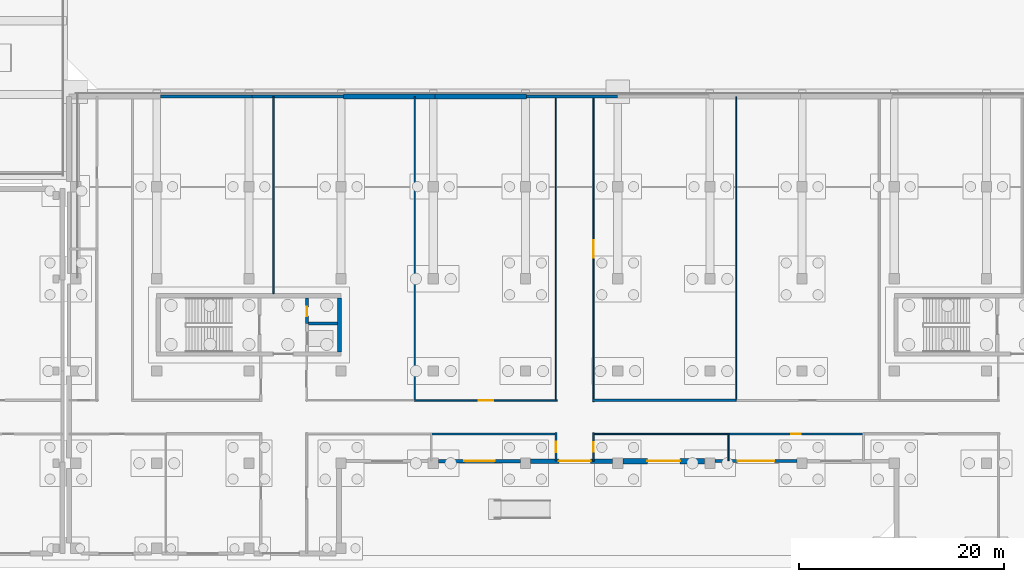
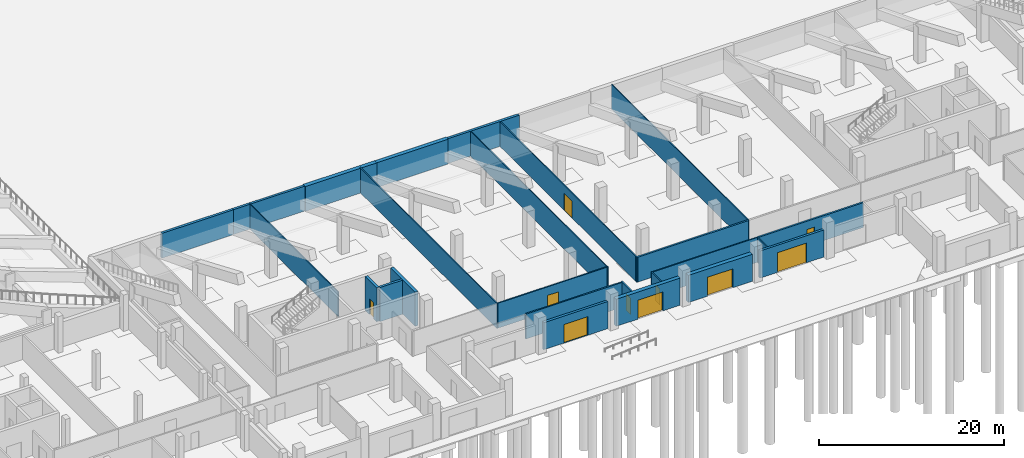
# One storey, part 17 of 53: 25 walls, 10 doors, 10 openings.
"""IFC4 building model written with IfcOpenShell, lengths in metres."""

from ifc_helpers import new_model, si_unit, direction, frame, frame_2d, origin, place, context, subcontext, project, spatial, rectangle, extrude, material, layer, layer_set, type_object, element, fill, save


model = new_model("IFC4")

# Units and contexts
model_context = context("Model", 3, precision=1e-05, world=origin(), true_north=direction((0.0, 1.0)))
body_context = subcontext(model_context, "Body", "Model", "MODEL_VIEW")
ifc_project = project(units=[si_unit("LENGTHUNIT", "METRE"), si_unit("AREAUNIT", "SQUARE_METRE"), si_unit("VOLUMEUNIT", "CUBIC_METRE"), si_unit("PLANEANGLEUNIT", "RADIAN"), si_unit("MASSUNIT", "GRAM", prefix="KILO"), si_unit("THERMODYNAMICTEMPERATUREUNIT", "KELVIN"), si_unit("POWERUNIT", "WATT")], contexts=[model_context])

# Site, building, storey
site_placement = place(None, origin())
site = spatial("IfcSite", under=ifc_project, at=site_placement, CompositionType="ELEMENT")
building_placement = place(site_placement, origin())
building = spatial("IfcBuilding", under=site, at=building_placement, Name="Sindhuravela Promenade Stadium", CompositionType="ELEMENT")
storey_placement = place(building_placement, origin())
storey = spatial("IfcBuildingStorey", under=building, at=storey_placement, Name="L00", CompositionType="ELEMENT", Elevation=0.0)

# Wall
ifc_material_1 = material(Name="Dholpur sandstone ashlar (45 MPa)", Category="masonry")
ifc_layer_1 = layer(ifc_material_1, 0.2900390625)
ifc_layer_set_1 = layer_set([ifc_layer_1], Name="Dholpur sandstone ashlar (45 MPa)")
wall_type_1 = type_object("IfcWallType", Name="EX-WL-SND290", PredefinedType="SOLIDWALL", material=ifc_layer_set_1)
wall_1_placement = place(storey_placement, frame((72.300048828125, 44.800048828125, 0.0), z_axis=(0.0, 0.0, 1.0), x_axis=(1.0, 0.0, 0.0)))
element("IfcWall", 1, at=wall_1_placement, inside=storey, type_object=wall_type_1, Name="Exterior masonry wall EW10 SOUTH L00", PredefinedType="SOLIDWALL", context=body_context, shape_type="SweptSolid", body=[
    extrude(rectangle(XDim=8.925048828125, YDim=0.2900390625, at=frame_2d((4.46240234375, 0.0))), origin(), (0.0, 0.0, 1.0), 3.280029296875),
])

# Wall, opening, door
wall_2_placement = place(storey_placement, frame((125.4951171875, 9.199951171875, 0.0), z_axis=(0.0, 0.0, 1.0), x_axis=(-1.0, 0.0, 0.0)))
wall_2 = element("IfcWall", 2, at=wall_2_placement, inside=storey, type_object=wall_type_1, Name="Exterior masonry wall EW10 SOUTH L00", PredefinedType="SOLIDWALL", context=body_context, shape_type="SweptSolid", body=[
    extrude(rectangle(XDim=7.990234375, YDim=0.2900390625, at=frame_2d((3.9951171875, 0.0))), origin(), (0.0, 0.0, 1.0), 3.580078125),
])
opening_1_placement = place(wall_2_placement, frame((2.195068359375, 0.0, 0.0)))
opening_1 = element("IfcOpeningElement", 3, at=opening_1_placement, cuts=wall_2, Name="Opening E21", PredefinedType="OPENING", context=body_context, shape_type="SweptSolid", body=[
    extrude(rectangle(XDim=3.60009765625, YDim=2.60009765625, at=frame_2d((1.800048828125, 1.300048828125))), frame((0.0, 0.155029296875, 0.0), z_axis=(0.0, -1.0, 0.0), x_axis=(1.0, 0.0, 0.0)), (0.0, 0.0, 1.0), 0.31005859375),
])
ifc_material_2 = material(Name="Anodised architectural aluminium 6063-T6", Category="aluminium")
door_type_1 = type_object("IfcDoorType", Name="DR-EXIT-3600x2600", OperationType="DOUBLE_DOOR_SINGLE_SWING", PredefinedType="DOOR", material=ifc_material_2)
door_1_placement = place(opening_1_placement, origin())
door_1 = element("IfcDoor", 4, at=door_1_placement, inside=storey, type_object=door_type_1, Name="Final exit door E21", OperationType="DOUBLE_DOOR_SINGLE_SWING", OverallHeight=2.60009765625, OverallWidth=3.60009765625, PredefinedType="DOOR", context=body_context, shape_type="SweptSolid", body=[
    extrude(rectangle(XDim=3.60009765625, YDim=2.60009765625, at=frame_2d((1.800048828125, 1.300048828125))), frame((0.0, 0.02490234375, 0.0), z_axis=(0.0, -1.0, 0.0), x_axis=(1.0, 0.0, 0.0)), (0.0, 0.0, 1.0), 0.050048828125),
])
fill(opening_1, door_1)

# Walls
ifc_layer_2 = layer(ifc_material_1, 0.31005859375)
ifc_layer_set_2 = layer_set([ifc_layer_2], Name="Dholpur sandstone ashlar (45 MPa)")
wall_type_2 = type_object("IfcWallType", Name="EX-WL-SND310", PredefinedType="SOLIDWALL", material=ifc_layer_set_2)
for number, where, z_axis, x_axis, name in (
    (5, (63.375, 44.800048828125, 0.0), (0.0, 0.0, 1.0), (1.0, 0.0, 0.0), "Exterior masonry wall EW09 SOUTH L00"),
    (6, (99.074951171875, 44.800048828125, 0.0), (0.0, 0.0, 1.0), (1.0, 0.0, 0.0), "Exterior masonry wall EW09 SOUTH L00"),
):
    element("IfcWall", number, at=place(storey_placement, frame(where, z_axis=z_axis, x_axis=x_axis)), inside=storey, type_object=wall_type_2, Name=name, PredefinedType="SOLIDWALL", context=body_context, shape_type="SweptSolid", body=[
        extrude(rectangle(XDim=8.925048828125, YDim=0.31005859375, at=frame_2d((4.46240234375, 0.0))), origin(), (0.0, 0.0, 1.0), 3.280029296875),
    ])

# Wall, opening, door
wall_3_placement = place(storey_placement, frame((98.4951171875, 9.199951171875, 0.0), z_axis=(0.0, 0.0, 1.0), x_axis=(-1.0, 0.0, 0.0)))
wall_3 = element("IfcWall", 7, at=wall_3_placement, inside=storey, type_object=wall_type_2, Name="Exterior masonry wall EW09 SOUTH L00", PredefinedType="SOLIDWALL", context=body_context, shape_type="SweptSolid", body=[
    extrude(rectangle(XDim=7.990234375, YDim=0.31005859375, at=frame_2d((3.9951171875, 0.0))), origin(), (0.0, 0.0, 1.0), 3.580078125),
])
opening_2_placement = place(wall_3_placement, frame((2.4951171875, 0.0, 0.0)))
opening_2 = element("IfcOpeningElement", 8, at=opening_2_placement, cuts=wall_3, Name="Opening G07", PredefinedType="OPENING", context=body_context, shape_type="SweptSolid", body=[
    extrude(rectangle(XDim=3.0, YDim=2.449951171875, at=frame_2d((1.5, 1.22509765625))), frame((0.0, 0.1650390625, 0.0), z_axis=(0.0, -1.0, 0.0), x_axis=(1.0, 0.0, 0.0)), (0.0, 0.0, 1.0), 0.330078125),
])
door_type_2 = type_object("IfcDoorType", Name="DR-EXIT-3000x2450", OperationType="DOUBLE_DOOR_SINGLE_SWING", PredefinedType="DOOR", material=ifc_material_2)
door_2_placement = place(opening_2_placement, origin())
door_2 = element("IfcDoor", 9, at=door_2_placement, inside=storey, type_object=door_type_2, Name="Gate exit door G07", OperationType="DOUBLE_DOOR_SINGLE_SWING", OverallHeight=2.449951171875, OverallWidth=3.0, PredefinedType="DOOR", context=body_context, shape_type="SweptSolid", body=[
    extrude(rectangle(XDim=3.0, YDim=2.449951171875, at=frame_2d((1.5, 1.22509765625))), frame((0.0, 0.02490234375, 0.0), z_axis=(0.0, -1.0, 0.0), x_axis=(1.0, 0.0, 0.0)), (0.0, 0.0, 1.0), 0.050048828125),
])
fill(opening_2, door_2)

# Wall
ifc_layer_3 = layer(ifc_material_1, 0.47998046875)
ifc_layer_set_3 = layer_set([ifc_layer_3], Name="Dholpur sandstone ashlar (45 MPa)")
wall_type_3 = type_object("IfcWallType", Name="EX-WL-SND480", PredefinedType="SOLIDWALL", material=ifc_layer_set_3)
wall_4_placement = place(storey_placement, frame((90.14990234375, 44.800048828125, 0.0), z_axis=(0.0, 0.0, 1.0), x_axis=(1.0, 0.0, 0.0)))
element("IfcWall", 10, at=wall_4_placement, inside=storey, type_object=wall_type_3, Name="Exterior masonry wall EW08 SOUTH L00", PredefinedType="SOLIDWALL", context=body_context, shape_type="SweptSolid", body=[
    extrude(rectangle(XDim=8.925048828125, YDim=0.47998046875, at=frame_2d((4.46240234375, 0.0))), origin(), (0.0, 0.0, 1.0), 3.280029296875),
])

# Wall, opening, door
wall_5_placement = place(storey_placement, frame((107.4951171875, 9.199951171875, 0.0), z_axis=(0.0, 0.0, 1.0), x_axis=(-1.0, 0.0, 0.0)))
wall_5 = element("IfcWall", 11, at=wall_5_placement, inside=storey, type_object=wall_type_3, Name="Exterior masonry wall EW08 SOUTH L00", PredefinedType="SOLIDWALL", context=body_context, shape_type="SweptSolid", body=[
    extrude(rectangle(XDim=7.990234375, YDim=0.47998046875, at=frame_2d((3.9951171875, 0.0))), origin(), (0.0, 0.0, 1.0), 3.580078125),
])
opening_3_placement = place(wall_5_placement, frame((2.14501953125, 0.0, 0.0)))
opening_3 = element("IfcOpeningElement", 12, at=opening_3_placement, cuts=wall_5, Name="Opening G06", PredefinedType="OPENING", context=body_context, shape_type="SweptSolid", body=[
    extrude(rectangle(XDim=3.10009765625, YDim=2.5, at=frame_2d((1.550048828125, 1.25))), frame((0.0, 0.25, 0.0), z_axis=(0.0, -1.0, 0.0), x_axis=(1.0, 0.0, 0.0)), (0.0, 0.0, 1.0), 0.5),
])
door_type_3 = type_object("IfcDoorType", Name="DR-EXIT-3100x2500", OperationType="DOUBLE_DOOR_SINGLE_SWING", PredefinedType="DOOR", material=ifc_material_2)
door_3_placement = place(opening_3_placement, origin())
door_3 = element("IfcDoor", 13, at=door_3_placement, inside=storey, type_object=door_type_3, Name="Gate exit door G06", OperationType="DOUBLE_DOOR_SINGLE_SWING", OverallHeight=2.5, OverallWidth=3.10009765625, PredefinedType="DOOR", context=body_context, shape_type="SweptSolid", body=[
    extrude(rectangle(XDim=3.10009765625, YDim=2.5, at=frame_2d((1.550048828125, 1.25))), frame((0.0, 0.02490234375, 0.0), z_axis=(0.0, -1.0, 0.0), x_axis=(1.0, 0.0, 0.0)), (0.0, 0.0, 1.0), 0.050048828125),
])
fill(opening_3, door_3)

# Wall
ifc_layer_4 = layer(ifc_material_1, 0.5)
ifc_layer_set_4 = layer_set([ifc_layer_4], Name="Dholpur sandstone ashlar (45 MPa)")
wall_type_4 = type_object("IfcWallType", Name="EX-WL-SND500", PredefinedType="SOLIDWALL", material=ifc_layer_set_4)
wall_6_placement = place(storey_placement, frame((81.22509765625, 44.800048828125, 0.0), z_axis=(0.0, 0.0, 1.0), x_axis=(1.0, 0.0, 0.0)))
element("IfcWall", 14, at=wall_6_placement, inside=storey, type_object=wall_type_4, Name="Exterior masonry wall EW07 SOUTH L00", PredefinedType="SOLIDWALL", context=body_context, shape_type="SweptSolid", body=[
    extrude(rectangle(XDim=8.9248046875, YDim=0.5, at=frame_2d((4.46240234375, 0.0))), origin(), (0.0, 0.0, 1.0), 3.280029296875),
])

# Wall, opening, door
wall_7_placement = place(storey_placement, frame((116.4951171875, 9.199951171875, 0.0), z_axis=(0.0, 0.0, 1.0), x_axis=(-1.0, 0.0, 0.0)))
wall_7 = element("IfcWall", 15, at=wall_7_placement, inside=storey, type_object=wall_type_4, Name="Exterior masonry wall EW07 SOUTH L00", PredefinedType="SOLIDWALL", context=body_context, shape_type="SweptSolid", body=[
    extrude(rectangle(XDim=7.990234375, YDim=0.5, at=frame_2d((3.9951171875, 0.0))), origin(), (0.0, 0.0, 1.0), 3.580078125),
])
opening_4_placement = place(wall_7_placement, frame((2.39501953125, 0.0, 0.0)))
opening_4 = element("IfcOpeningElement", 16, at=opening_4_placement, cuts=wall_7, Name="Opening G05", PredefinedType="OPENING", context=body_context, shape_type="SweptSolid", body=[
    extrude(rectangle(XDim=3.199951171875, YDim=2.5, at=frame_2d((1.60009765625, 1.25))), frame((0.0, 0.260009765625, 0.0), z_axis=(0.0, -1.0, 0.0), x_axis=(1.0, 0.0, 0.0)), (0.0, 0.0, 1.0), 0.52001953125),
])
door_type_4 = type_object("IfcDoorType", Name="DR-EXIT-3200x2500", OperationType="DOUBLE_DOOR_SINGLE_SWING", PredefinedType="DOOR", material=ifc_material_2)
door_4_placement = place(opening_4_placement, origin())
door_4 = element("IfcDoor", 17, at=door_4_placement, inside=storey, type_object=door_type_4, Name="Gate exit door G05", OperationType="DOUBLE_DOOR_SINGLE_SWING", OverallHeight=2.5, OverallWidth=3.199951171875, PredefinedType="DOOR", context=body_context, shape_type="SweptSolid", body=[
    extrude(rectangle(XDim=3.199951171875, YDim=2.5, at=frame_2d((1.60009765625, 1.25))), frame((0.0, 0.02490234375, 0.0), z_axis=(0.0, -1.0, 0.0), x_axis=(1.0, 0.0, 0.0)), (0.0, 0.0, 1.0), 0.050048828125),
])
fill(opening_4, door_4)

# Walls
ifc_material_3 = material(Name="Fire-rated gypsum partition board", Category="gypsum")
ifc_layer_5 = layer(ifc_material_3, 0.110107421875)
ifc_layer_set_5 = layer_set([ifc_layer_5], Name="Fire-rated gypsum partition board")
wall_type_5 = type_object("IfcWallType", Name="IN-WL-PAR110", PredefinedType="PARTITIONING", material=ifc_layer_set_5)
for number, where, z_axis, x_axis, name in (
    (18, (119.58740234375, 44.760009765625, 0.0), (0.0, 0.0, 1.0), (0.0, -1.0, 0.0), "Interior partition IW06 SOUTH L00"),
    (19, (101.9599609375, 44.760009765625, 0.0), (0.0, 0.0, 1.0), (0.0, -1.0, 0.0), "Interior partition IW06 SOUTH L00"),
):
    element("IfcWall", number, at=place(storey_placement, frame(where, z_axis=z_axis, x_axis=x_axis)), inside=storey, type_object=wall_type_5, Name=name, PredefinedType="PARTITIONING", context=body_context, shape_type="SweptSolid", body=[
        extrude(rectangle(XDim=29.699951171875, YDim=0.110107421875, at=frame_2d((14.85009765625, 0.0))), origin(), (0.0, 0.0, 1.0), 3.280029296875),
    ])
wall_8_placement = place(storey_placement, frame((118.813232421875, 11.93994140625, 0.0), z_axis=(0.0, 0.0, 1.0), x_axis=(0.0, -1.0, 0.0)))
element("IfcWall", 20, at=wall_8_placement, inside=storey, type_object=wall_type_5, Name="Interior partition IW06 SOUTH L00", PredefinedType="PARTITIONING", context=body_context, shape_type="SweptSolid", body=[
    extrude(rectangle(XDim=2.699951171875, YDim=0.110107421875, at=frame_2d((1.35009765625, 0.0))), origin(), (0.0, 0.0, 1.0), 3.280029296875),
])

# Wall, opening, door
ifc_layer_6 = layer(ifc_material_3, 0.1298828125)
ifc_layer_set_6 = layer_set([ifc_layer_6], Name="Fire-rated gypsum partition board")
wall_type_6 = type_object("IfcWallType", Name="IN-WL-PAR130", PredefinedType="PARTITIONING", material=ifc_layer_set_6)
wall_9_placement = place(storey_placement, frame((105.639892578125, 44.800048828125, 0.0), z_axis=(0.0, 0.0, 1.0), x_axis=(0.0, -1.0, 0.0)))
wall_9 = element("IfcWall", 21, at=wall_9_placement, inside=storey, type_object=wall_type_6, Name="Corridor partition IW05 South Community Entrance Hall", PredefinedType="PARTITIONING", context=body_context, shape_type="SweptSolid", body=[
    extrude(rectangle(XDim=29.780029296875, YDim=0.1298828125, at=frame_2d((14.89013671875, 0.0))), origin(), (0.0, 0.0, 1.0), 3.280029296875),
])
opening_5_placement = place(wall_9_placement, frame((14.0400390625, 0.0, 0.0)))
opening_5 = element("IfcOpeningElement", 22, at=opening_5_placement, cuts=wall_9, Name="Opening ID01", PredefinedType="OPENING", context=body_context, shape_type="SweptSolid", body=[
    extrude(rectangle(XDim=1.699951171875, YDim=2.199951171875, at=frame_2d((0.85009765625, 1.10009765625))), frame((0.0, 0.074951171875, 0.0), z_axis=(0.0, -1.0, 0.0), x_axis=(1.0, 0.0, 0.0)), (0.0, 0.0, 1.0), 0.14990234375),
])
ifc_material_4 = material(Name="Architectural teak timber leaf", Category="wood")
door_type_5 = type_object("IfcDoorType", Name="DR-INT-1700x2200", OperationType="DOUBLE_DOOR_SINGLE_SWING", PredefinedType="DOOR", material=ifc_material_4)
door_5_placement = place(opening_5_placement, origin())
door_5 = element("IfcDoor", 23, at=door_5_placement, inside=storey, type_object=door_type_5, Name="South Community Entrance Hall door", OperationType="DOUBLE_DOOR_SINGLE_SWING", OverallHeight=2.199951171875, OverallWidth=1.699951171875, PredefinedType="DOOR", context=body_context, shape_type="SweptSolid", body=[
    extrude(rectangle(XDim=1.699951171875, YDim=2.199951171875, at=frame_2d((0.85009765625, 1.10009765625))), frame((0.0, 0.02490234375, 0.0), z_axis=(0.0, -1.0, 0.0), x_axis=(1.0, 0.0, 0.0)), (0.0, 0.0, 1.0), 0.050048828125),
])
fill(opening_5, door_5)

# Walls
wall_10_placement = place(storey_placement, frame((88.186767578125, 15.06005859375, 0.0), z_axis=(0.0, 0.0, 1.0), x_axis=(0.0, 1.0, 0.0)))
element("IfcWall", 24, at=wall_10_placement, inside=storey, type_object=wall_type_6, Name="Interior partition IW05 SOUTH L00", PredefinedType="PARTITIONING", context=body_context, shape_type="SweptSolid", body=[
    extrude(rectangle(XDim=29.699951171875, YDim=0.1298828125, at=frame_2d((14.85009765625, 0.0))), origin(), (0.0, 0.0, 1.0), 3.280029296875),
])
wall_11_placement = place(storey_placement, frame((74.413330078125, 25.552001953125, 0.0), z_axis=(0.0, 0.0, 1.0), x_axis=(0.0, 1.0, 0.0)))
element("IfcWall", 25, at=wall_11_placement, inside=storey, type_object=wall_type_6, Name="Interior partition IW05 SOUTH L00", PredefinedType="PARTITIONING", context=body_context, shape_type="SweptSolid", body=[
    extrude(rectangle(XDim=19.2080078125, YDim=0.1298828125, at=frame_2d((9.60400390625, 0.0))), origin(), (0.0, 0.0, 1.0), 3.280029296875),
])
wall_12_placement = place(storey_placement, frame((105.56005859375, 11.860107421875, 0.0), z_axis=(0.0, 0.0, 1.0), x_axis=(1.0, 0.0, 0.0)))
element("IfcWall", 26, at=wall_12_placement, inside=storey, type_object=wall_type_6, Name="Interior partition IW05 SOUTH L00", PredefinedType="PARTITIONING", context=body_context, shape_type="SweptSolid", body=[
    extrude(rectangle(XDim=13.213134765625, YDim=0.1298828125, at=frame_2d((6.6064453125, 0.0))), origin(), (0.0, 0.0, 1.0), 3.280029296875),
])

# Wall, opening, door
ifc_layer_7 = layer(ifc_material_3, 0.14990234375)
ifc_layer_set_7 = layer_set([ifc_layer_7], Name="Fire-rated gypsum partition board")
wall_type_7 = type_object("IfcWallType", Name="IN-WL-PAR150", PredefinedType="PARTITIONING", material=ifc_layer_set_7)
wall_13_placement = place(storey_placement, frame((88.186767578125, 15.139892578125, 0.0), z_axis=(0.0, 0.0, 1.0), x_axis=(1.0, 0.0, 0.0)))
wall_13 = element("IfcWall", 27, at=wall_13_placement, inside=storey, type_object=wall_type_7, Name="Corridor partition IW04 Concessions Bulk Storage Room", PredefinedType="PARTITIONING", context=body_context, shape_type="SweptSolid", body=[
    extrude(rectangle(XDim=13.893310546875, YDim=0.14990234375, at=frame_2d((6.94677734375, 0.0))), origin(), (0.0, 0.0, 1.0), 3.280029296875),
])
opening_6_placement = place(wall_13_placement, frame((6.24658203125, 0.0, 0.0)))
opening_6 = element("IfcOpeningElement", 28, at=opening_6_placement, cuts=wall_13, Name="Opening ID03", PredefinedType="OPENING", context=body_context, shape_type="SweptSolid", body=[
    extrude(rectangle(XDim=1.39990234375, YDim=2.14990234375, at=frame_2d((0.699951171875, 1.074951171875))), frame((0.0, 0.0849609375, 0.0), z_axis=(0.0, -1.0, 0.0), x_axis=(1.0, 0.0, 0.0)), (0.0, 0.0, 1.0), 0.169921875),
])
door_type_6 = type_object("IfcDoorType", Name="DR-INT-1400x2150", OperationType="DOUBLE_DOOR_SINGLE_SWING", PredefinedType="DOOR", material=ifc_material_4)
door_6_placement = place(opening_6_placement, origin())
door_6 = element("IfcDoor", 29, at=door_6_placement, inside=storey, type_object=door_type_6, Name="Concessions Bulk Storage Room door", OperationType="DOUBLE_DOOR_SINGLE_SWING", OverallHeight=2.14990234375, OverallWidth=1.39990234375, PredefinedType="DOOR", context=body_context, shape_type="SweptSolid", body=[
    extrude(rectangle(XDim=1.39990234375, YDim=2.14990234375, at=frame_2d((0.699951171875, 1.074951171875))), frame((0.0, 0.02490234375, 0.0), z_axis=(0.0, -1.0, 0.0), x_axis=(1.0, 0.0, 0.0)), (0.0, 0.0, 1.0), 0.050048828125),
])
fill(opening_6, door_6)

wall_14_placement = place(storey_placement, frame((105.639892578125, 11.97998046875, 0.0), z_axis=(0.0, 0.0, 1.0), x_axis=(0.0, -1.0, 0.0)))
wall_14 = element("IfcWall", 30, at=wall_14_placement, inside=storey, type_object=wall_type_7, Name="Corridor partition IW04 South Community Entrance Hall 9", PredefinedType="PARTITIONING", context=body_context, shape_type="SweptSolid", body=[
    extrude(rectangle(XDim=2.780029296875, YDim=0.14990234375, at=frame_2d((1.39013671875, 0.0))), origin(), (0.0, 0.0, 1.0), 3.280029296875),
])
opening_7_placement = place(wall_14_placement, frame((0.9150390625, 0.0, 0.0)))
opening_7 = element("IfcOpeningElement", 31, at=opening_7_placement, cuts=wall_14, Name="Opening ID09", PredefinedType="OPENING", context=body_context, shape_type="SweptSolid", body=[
    extrude(rectangle(XDim=0.949951171875, YDim=2.10009765625, at=frame_2d((0.47509765625, 1.050048828125))), frame((0.0, 0.0849609375, 0.0), z_axis=(0.0, -1.0, 0.0), x_axis=(1.0, 0.0, 0.0)), (0.0, 0.0, 1.0), 0.169921875),
])
door_type_7 = type_object("IfcDoorType", Name="DR-INT-950x2100", OperationType="NOTDEFINED", PredefinedType="DOOR", material=ifc_material_4)
door_7_placement = place(opening_7_placement, origin())
door_7 = element("IfcDoor", 32, at=door_7_placement, inside=storey, type_object=door_type_7, Name="South Community Entrance Hall 9 door", OperationType="SINGLE_SWING_RIGHT", OverallHeight=2.10009765625, OverallWidth=0.949951171875, PredefinedType="DOOR", context=body_context, shape_type="SweptSolid", body=[
    extrude(rectangle(XDim=0.949951171875, YDim=2.10009765625, at=frame_2d((0.47509765625, 1.050048828125))), frame((0.0, 0.02490234375, 0.0), z_axis=(0.0, -1.0, 0.0), x_axis=(1.0, 0.0, 0.0)), (0.0, 0.0, 1.0), 0.050048828125),
])
fill(opening_7, door_7)

# Wall
ifc_layer_8 = layer(ifc_material_3, 0.175048828125)
ifc_layer_set_8 = layer_set([ifc_layer_8], Name="Fire-rated gypsum partition board")
wall_type_8 = type_object("IfcWallType", Name="IN-WL-PAR175", PredefinedType="PARTITIONING", material=ifc_layer_set_8)
wall_15_placement = place(storey_placement, frame((89.840087890625, 11.860107421875, 0.0), z_axis=(0.0, 0.0, 1.0), x_axis=(1.0, 0.0, 0.0)))
element("IfcWall", 33, at=wall_15_placement, inside=storey, type_object=wall_type_8, Name="Interior partition IW03 SOUTH L00", PredefinedType="PARTITIONING", context=body_context, shape_type="SweptSolid", body=[
    extrude(rectangle(XDim=12.199951171875, YDim=0.175048828125, at=frame_2d((6.10009765625, 0.0))), origin(), (0.0, 0.0, 1.0), 3.280029296875),
])

# Wall, opening, door
ifc_layer_9 = layer(ifc_material_3, 0.195068359375)
ifc_layer_set_9 = layer_set([ifc_layer_9], Name="Fire-rated gypsum partition board")
wall_type_9 = type_object("IfcWallType", Name="IN-WL-PAR195", PredefinedType="PARTITIONING", material=ifc_layer_set_9)
wall_16_placement = place(storey_placement, frame((101.9599609375, 9.199951171875, 0.0), z_axis=(0.0, 0.0, 1.0), x_axis=(0.0, 1.0, 0.0)))
wall_16 = element("IfcWall", 34, at=wall_16_placement, inside=storey, type_object=wall_type_9, Name="Corridor partition IW02 Concessions Bulk Storage Room 11", PredefinedType="PARTITIONING", context=body_context, shape_type="SweptSolid", body=[
    extrude(rectangle(XDim=2.780029296875, YDim=0.195068359375, at=frame_2d((1.39013671875, 0.0))), origin(), (0.0, 0.0, 1.0), 3.280029296875),
])
opening_8_placement = place(wall_16_placement, frame((0.8798828125, 0.0, 0.0)))
opening_8 = element("IfcOpeningElement", 35, at=opening_8_placement, cuts=wall_16, Name="Opening ID11", PredefinedType="OPENING", context=body_context, shape_type="SweptSolid", body=[
    extrude(rectangle(XDim=1.02001953125, YDim=2.159912109375, at=frame_2d((0.510009765625, 1.080078125))), frame((0.0, 0.107421875, 0.0), z_axis=(0.0, -1.0, 0.0), x_axis=(1.0, 0.0, 0.0)), (0.0, 0.0, 1.0), 0.215087890625),
])
door_type_8 = type_object("IfcDoorType", Name="DR-INT-1020x2160", OperationType="NOTDEFINED", PredefinedType="DOOR", material=ifc_material_4)
door_8_placement = place(opening_8_placement, origin())
door_8 = element("IfcDoor", 36, at=door_8_placement, inside=storey, type_object=door_type_8, Name="Concessions Bulk Storage Room 11 door", OperationType="SINGLE_SWING_RIGHT", OverallHeight=2.159912109375, OverallWidth=1.02001953125, PredefinedType="DOOR", context=body_context, shape_type="SweptSolid", body=[
    extrude(rectangle(XDim=1.02001953125, YDim=2.159912109375, at=frame_2d((0.510009765625, 1.080078125))), frame((0.0, 0.02490234375, 0.0), z_axis=(0.0, -1.0, 0.0), x_axis=(1.0, 0.0, 0.0)), (0.0, 0.0, 1.0), 0.050048828125),
])
fill(opening_8, door_8)

# Wall
ifc_layer_10 = layer(ifc_material_3, 0.219970703125)
ifc_layer_set_10 = layer_set([ifc_layer_10], Name="Fire-rated gypsum partition board")
wall_type_10 = type_object("IfcWallType", Name="IN-WL-PAR220", PredefinedType="PARTITIONING", material=ifc_layer_set_10)
wall_17_placement = place(storey_placement, frame((119.547607421875, 15.139892578125, 0.0), z_axis=(0.0, 0.0, 1.0), x_axis=(-1.0, 0.0, 0.0)))
element("IfcWall", 37, at=wall_17_placement, inside=storey, type_object=wall_type_10, Name="Interior partition IW01 SOUTH L00", PredefinedType="PARTITIONING", context=body_context, shape_type="SweptSolid", body=[
    extrude(rectangle(XDim=13.987548828125, YDim=0.219970703125, at=frame_2d((6.99365234375, 0.0))), origin(), (0.0, 0.0, 1.0), 3.280029296875),
])

# Wall, opening, door
wall_18_placement = place(storey_placement, frame((131.98681640625, 11.860107421875, 0.0), z_axis=(0.0, 0.0, 1.0), x_axis=(-1.0, 0.0, 0.0)))
wall_18 = element("IfcWall", 38, at=wall_18_placement, inside=storey, type_object=wall_type_10, Name="Corridor partition IW01 Fire Pump and Tank Plant Room 10", PredefinedType="PARTITIONING", context=body_context, shape_type="SweptSolid", body=[
    extrude(rectangle(XDim=13.173583984375, YDim=0.219970703125, at=frame_2d((6.5869140625, 0.0))), origin(), (0.0, 0.0, 1.0), 3.280029296875),
])
opening_9_placement = place(wall_18_placement, frame((6.11181640625, 0.0, 0.0)))
opening_9 = element("IfcOpeningElement", 39, at=opening_9_placement, cuts=wall_18, Name="Opening ID10", PredefinedType="OPENING", context=body_context, shape_type="SweptSolid", body=[
    extrude(rectangle(XDim=0.949951171875, YDim=2.179931640625, at=frame_2d((0.47509765625, 1.08984375))), frame((0.0, 0.119873046875, 0.0), z_axis=(0.0, -1.0, 0.0), x_axis=(1.0, 0.0, 0.0)), (0.0, 0.0, 1.0), 0.239990234375),
])
door_type_9 = type_object("IfcDoorType", Name="DR-INT-950x2180", OperationType="NOTDEFINED", PredefinedType="DOOR", material=ifc_material_4)
door_9_placement = place(opening_9_placement, origin())
door_9 = element("IfcDoor", 40, at=door_9_placement, inside=storey, type_object=door_type_9, Name="Fire Pump and Tank Plant Room 10 door", OperationType="SINGLE_SWING_LEFT", OverallHeight=2.179931640625, OverallWidth=0.949951171875, PredefinedType="DOOR", context=body_context, shape_type="SweptSolid", body=[
    extrude(rectangle(XDim=0.949951171875, YDim=2.179931640625, at=frame_2d((0.47509765625, 1.08984375))), frame((0.0, 0.02490234375, 0.0), z_axis=(0.0, -1.0, 0.0), x_axis=(1.0, 0.0, 0.0)), (0.0, 0.0, 1.0), 0.050048828125),
])
fill(opening_9, door_9)

ifc_material_5 = material(Name="Concrete M50", Category="concrete")
ifc_layer_11 = layer(ifc_material_5, 0.300048828125)
ifc_layer_set_11 = layer_set([ifc_layer_11], Name="Concrete M50")
wall_type_11 = type_object("IfcWallType", Name="RC-SW-300", PredefinedType="SHEAR", material=ifc_layer_set_11)
wall_19_placement = place(storey_placement, frame((77.64990234375, 22.64990234375, 0.0), z_axis=(0.0, 0.0, 1.0), x_axis=(0.0, 1.0, 0.0)))
wall_19 = element("IfcWall", 41, at=wall_19_placement, inside=storey, type_object=wall_type_11, Name="Core shear wall C11-RSR (L00)", PredefinedType="SHEAR", context=body_context, shape_type="SweptSolid", body=[
    extrude(rectangle(XDim=2.5, YDim=0.300048828125, at=frame_2d((1.25, 0.0))), origin(), (0.0, 0.0, 1.0), 4.5),
])
opening_10_placement = place(wall_19_placement, frame((0.72509765625, 0.0, 0.0)))
opening_10 = element("IfcOpeningElement", 42, at=opening_10_placement, cuts=wall_19, Name="Opening FD03", PredefinedType="OPENING", context=body_context, shape_type="SweptSolid", body=[
    extrude(rectangle(XDim=0.89990234375, YDim=2.10009765625, at=frame_2d((0.449951171875, 1.050048828125))), frame((0.0, 0.159912109375, 0.0), z_axis=(0.0, -1.0, 0.0), x_axis=(1.0, 0.0, 0.0)), (0.0, 0.0, 1.0), 0.320068359375),
])
ifc_material_6 = material(Name="Architectural wrought steel E350", Category="steel")
door_type_10 = type_object("IfcDoorType", Name="DR-RSR-900x2100", OperationType="NOTDEFINED", PredefinedType="DOOR", material=ifc_material_6)
door_10_placement = place(opening_10_placement, origin())
door_10 = element("IfcDoor", 43, at=door_10_placement, inside=storey, type_object=door_type_10, Name="Riser shaft access door C11 (L00)", OperationType="SINGLE_SWING_LEFT", OverallHeight=2.10009765625, OverallWidth=0.89990234375, PredefinedType="DOOR", context=body_context, shape_type="SweptSolid", body=[
    extrude(rectangle(XDim=0.89990234375, YDim=2.10009765625, at=frame_2d((0.449951171875, 1.050048828125))), frame((0.0, 0.02490234375, 0.0), z_axis=(0.0, -1.0, 0.0), x_axis=(1.0, 0.0, 0.0)), (0.0, 0.0, 1.0), 0.050048828125),
])
fill(opening_10, door_10)

# Walls
wall_20_placement = place(storey_placement, frame((77.800048828125, 22.64990234375, 0.0), z_axis=(0.0, 0.0, 1.0), x_axis=(1.0, 0.0, 0.0)))
element("IfcWall", 44, at=wall_20_placement, inside=storey, type_object=wall_type_11, Name="Core shear wall C11-DIV (L00)", PredefinedType="SHEAR", context=body_context, shape_type="SweptSolid", body=[
    extrude(rectangle(XDim=2.849853515625, YDim=0.300048828125, at=frame_2d((1.4248046875, 0.0))), origin(), (0.0, 0.0, 1.0), 4.5),
])
ifc_layer_12 = layer(ifc_material_5, 0.39990234375)
ifc_layer_set_12 = layer_set([ifc_layer_12], Name="Concrete M50")
wall_type_12 = type_object("IfcWallType", Name="RC-SW-400", PredefinedType="SHEAR", material=ifc_layer_set_12)
wall_21_placement = place(storey_placement, frame((80.85009765625, 19.85009765625, 0.0), z_axis=(0.0, 0.0, 1.0), x_axis=(0.0, 1.0, 0.0)))
element("IfcWall", 45, at=wall_21_placement, inside=storey, type_object=wall_type_12, Name="Core shear wall C11-E (L00)", PredefinedType="SHEAR", context=body_context, shape_type="SweptSolid", body=[
    extrude(rectangle(XDim=5.2998046875, YDim=0.39990234375, at=frame_2d((2.64990234375, 0.0))), origin(), (0.0, 0.0, 1.0), 4.5),
])

save(model, "model.ifc")
